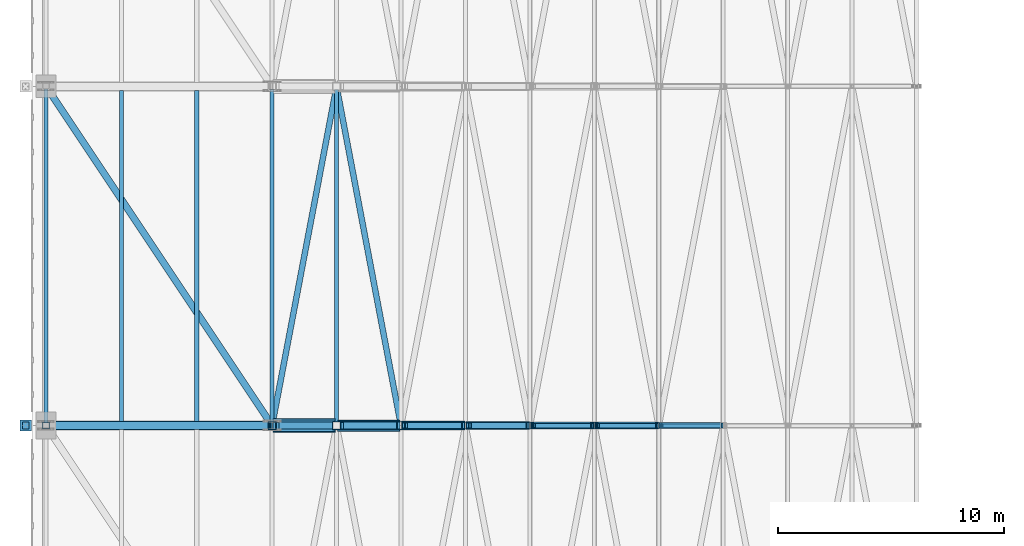
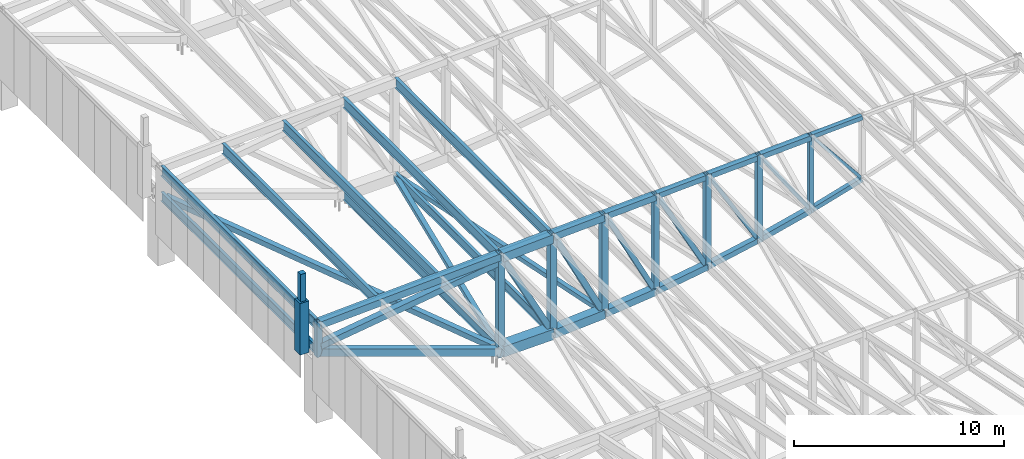
# One storey, part 31 of 278: 24 beams, 21 members.
"""IFC4 building model written with IfcOpenShell, lengths in metres."""

from ifc_helpers import new_model, si_unit, direction, frame, origin, origin_2d, place, context, subcontext, project, spatial, rectangle, hollow_rectangle, i_section, extrude, material, material_profile, profile_set, type_object, element, save


model = new_model("IFC4")

# Units and contexts
model_context = context("Model", 3, precision=1e-05, world=origin(), true_north=direction((0.0, 1.0)))
body_context = subcontext(model_context, "Body", "Model", "MODEL_VIEW")
ifc_project = project(units=[si_unit("LENGTHUNIT", "METRE"), si_unit("AREAUNIT", "SQUARE_METRE"), si_unit("VOLUMEUNIT", "CUBIC_METRE"), si_unit("PLANEANGLEUNIT", "RADIAN"), si_unit("MASSUNIT", "GRAM", prefix="KILO")], contexts=[model_context])

# Site, building, storey
site_placement = place(None, origin())
site = spatial("IfcSite", under=ifc_project, at=site_placement, CompositionType="ELEMENT")
building_placement = place(site_placement, origin())
building = spatial("IfcBuilding", under=site, at=building_placement, Name="Ogive Plaza Stadium", CompositionType="ELEMENT")
storey_placement = place(building_placement, frame((0.0, 0.0, 29.0)))
storey = spatial("IfcBuildingStorey", under=building, at=storey_placement, Name="Roof", CompositionType="ELEMENT", Elevation=29.0)

# Members
ifc_material_1 = material(Name="Concrete C45/55 precast", Category="concrete")
ifc_material_profile_1 = material_profile(ifc_material_1, rectangle(XDim=0.5, YDim=0.5, at=origin_2d()), Name="RC 500x500")
ifc_profile_set_1 = profile_set([ifc_material_profile_1], Name="Concrete C45/55 precast")
member_type_1 = type_object("IfcMemberType", Name="Precast pinnacle 500x500", PredefinedType="POST", material=ifc_profile_set_1)
member_1_placement = place(storey_placement, frame((-84.89990234375, -37.5, 4.0), z_axis=(0.0, 0.0, 1.0), x_axis=(0.0, -1.0, 0.0)))
element("IfcMember", 1, at=member_1_placement, inside=storey, type_object=member_type_1, Name="PINNACLE R22", PredefinedType="POST", context=body_context, shape_type="SweptSolid", body=[
    extrude(rectangle(XDim=0.5, YDim=0.5, at=origin_2d()), origin(), (0.0, 0.0, 1.0), 3.0),
])
ifc_material_2 = material(Name="Concrete C45/55 precast", Category="concrete")
ifc_material_profile_2 = material_profile(ifc_material_2, rectangle(XDim=0.300048828125, YDim=0.300048828125, at=origin_2d()), Name="RC 300x300")
ifc_profile_set_2 = profile_set([ifc_material_profile_2], Name="Concrete C45/55 precast")
member_type_2 = type_object("IfcMemberType", Name="Precast spire 300x300", PredefinedType="MEMBER", material=ifc_profile_set_2)
member_2_placement = place(storey_placement, frame((-84.89990234375, -37.5, 7.0), z_axis=(0.0, 0.0, 1.0), x_axis=(0.0, -1.0, 0.0)))
element("IfcMember", 2, at=member_2_placement, inside=storey, type_object=member_type_2, Name="SPIRE R22", PredefinedType="MEMBER", context=body_context, shape_type="SweptSolid", body=[
    extrude(rectangle(XDim=0.300048828125, YDim=0.300048828125, at=origin_2d()), origin(), (0.0, 0.0, 1.0), 1.60009765625),
])
ifc_material_3 = material(Name="Steel ASTM A500 Grade C", Category="steel")
ifc_material_profile_3 = material_profile(ifc_material_3, hollow_rectangle(XDim=0.25390625, YDim=0.25390625, WallThickness=0.0087890625, at=origin_2d()), Name="HSS10X10X3/8")
ifc_profile_set_3 = profile_set([ifc_material_profile_3], Name="Steel ASTM A500 Grade C")
member_type_3 = type_object("IfcMemberType", Name="Roof plan brace HSS10X10X3/8", PredefinedType="BRACE", material=ifc_profile_set_3)
member_3_placement = place(storey_placement, frame((-68.332763671875, -37.327880859375, 0.50927734375), z_axis=(-0.186657320186, 0.982381109131, -0.009295226886), x_axis=(-0.982423551356, -0.186665384421, 0.0)))
element("IfcMember", 3, at=member_3_placement, inside=storey, type_object=member_type_3, Name="ROOF BRACE B22 9", PredefinedType="BRACE", context=body_context, shape_type="SweptSolid", body=[
    extrude(hollow_rectangle(XDim=0.25390625, YDim=0.25390625, WallThickness=0.0087890625, at=origin_2d()), origin(), (0.0, 0.0, 1.0), 14.918701171875),
])
member_4_placement = place(storey_placement, frame((-71.1826171875, -22.672119140625, 0.368408203125), z_axis=(-0.186663720517, -0.982414794197, -0.004222272479), x_axis=(0.982423551356, -0.186665384421, 0.0)))
element("IfcMember", 4, at=member_4_placement, inside=storey, type_object=member_type_3, Name="ROOF BRACE B22 10", PredefinedType="BRACE", context=body_context, shape_type="SweptSolid", body=[
    extrude(hollow_rectangle(XDim=0.25390625, YDim=0.25390625, WallThickness=0.0087890625, at=origin_2d()), origin(), (0.0, 0.0, 1.0), 14.918212890625),
])
ifc_material_4 = material(Name="Steel ASTM A500 Grade C", Category="steel")
ifc_material_profile_4 = material_profile(ifc_material_4, hollow_rectangle(XDim=0.3046875, YDim=0.3046875, WallThickness=0.0087890625, at=origin_2d()), Name="HSS12X12X3/8")
ifc_profile_set_4 = profile_set([ifc_material_profile_4], Name="Steel ASTM A500 Grade C")
member_type_4 = type_object("IfcMemberType", Name="Roof plan brace HSS12X12X3/8", PredefinedType="BRACE", material=ifc_profile_set_4)
member_5_placement = place(storey_placement, frame((-74.158203125, -37.2626953125, 0.358642578125), z_axis=(-0.545096233751, 0.817651210116, 0.185247387419), x_axis=(-0.832052442118, -0.554696974542, 0.0)))
element("IfcMember", 5, at=member_5_placement, inside=storey, type_object=member_type_4, Name="ROOF BRACE B22 11", PredefinedType="BRACE", context=body_context, shape_type="SweptSolid", body=[
    extrude(hollow_rectangle(XDim=0.3046875, YDim=0.3046875, WallThickness=0.0087890625, at=origin_2d()), origin(), (0.0, 0.0, 1.0), 17.7958984375),
])
ifc_material_5 = material(Name="Steel ASTM A992 Grade 50", Category="steel")
ifc_material_profile_5 = material_profile(ifc_material_5, i_section(OverallWidth=0.1650390625, OverallDepth=0.524658203125, WebThickness=0.0087890625, FlangeThickness=0.011474609375, at=origin_2d()), Name="W21X44")
ifc_profile_set_5 = profile_set([ifc_material_profile_5], Name="Steel ASTM A992 Grade 50")
member_type_5 = type_object("IfcMemberType", Name="Roof plan strut W21X44", PredefinedType="STRUT", material=ifc_profile_set_5)
for number, where, z_axis, x_axis, name in (
    (6, (-71.14990234375, -37.352294921875, 0.369140625), (0.0, 1.0, 0.0), (-1.0, 0.0, 0.0), "ROOF STRUT B22 9"),
    (7, (-74.0, -37.352294921875, 0.3046875), (0.0, 1.0, 0.0), (-1.0, 0.0, 0.0), "ROOF STRUT B22 10"),
):
    element("IfcMember", number, at=place(storey_placement, frame(where, z_axis=z_axis, x_axis=x_axis)), inside=storey, type_object=member_type_5, Name=name, PredefinedType="STRUT", context=body_context, shape_type="SweptSolid", body=[
        extrude(i_section(OverallWidth=0.1650390625, OverallDepth=0.524658203125, WebThickness=0.0087890625, FlangeThickness=0.011474609375, at=origin_2d()), origin(), (0.0, 0.0, 1.0), 14.70458984375),
    ])
member_6_placement = place(storey_placement, frame((-84.0, -37.377685546875, 3.703125), z_axis=(0.0, 1.0, 0.0), x_axis=(-1.0, 0.0, 0.0)))
element("IfcMember", 8, at=member_6_placement, inside=storey, type_object=member_type_5, Name="ROOF STRUT B22 11", PredefinedType="STRUT", context=body_context, shape_type="SweptSolid", body=[
    extrude(i_section(OverallWidth=0.1650390625, OverallDepth=0.524658203125, WebThickness=0.0087890625, FlangeThickness=0.011474609375, at=origin_2d()), origin(), (0.0, 0.0, 1.0), 14.75537109375),
])
ifc_material_6 = material(Name="Steel ASTM A992 Grade 50", Category="steel")
ifc_material_profile_6 = material_profile(ifc_material_6, i_section(OverallWidth=0.177978515625, OverallDepth=0.5986328125, WebThickness=0.010009765625, FlangeThickness=0.012939453125, at=origin_2d()), Name="W24X55")
ifc_profile_set_6 = profile_set([ifc_material_profile_6], Name="Steel ASTM A992 Grade 50")
member_type_6 = type_object("IfcMemberType", Name="Roof purlin W24X55", PredefinedType="PURLIN", material=ifc_profile_set_6)
for number, where, z_axis, x_axis, name in (
    (9, (-71.14990234375, -37.352294921875, 5.84326171875), (0.0, 1.0, 0.0), (-1.0, 0.0, 0.0), "ROOF PURLIN B22 9"),
    (10, (-74.0, -37.352294921875, 5.70068359375), (0.0, 1.0, 0.0), (-1.0, 0.0, 0.0), "ROOF PURLIN B22 10"),
):
    element("IfcMember", number, at=place(storey_placement, frame(where, z_axis=z_axis, x_axis=x_axis)), inside=storey, type_object=member_type_6, Name=name, PredefinedType="PURLIN", context=body_context, shape_type="SweptSolid", body=[
        extrude(i_section(OverallWidth=0.177978515625, OverallDepth=0.5986328125, WebThickness=0.010009765625, FlangeThickness=0.012939453125, at=origin_2d()), origin(), (0.0, 0.0, 1.0), 14.70458984375),
    ])
for number, where, z_axis, x_axis, name in (
    (11, (-77.333251953125, -37.326904296875, 5.533935546875), (0.0, 1.0, 0.0), (-1.0, 0.0, 0.0), "ROOF PURLIN B22 11"),
    (12, (-80.666748046875, -37.326904296875, 5.367431640625), (0.0, 1.0, 0.0), (-1.0, 0.0, 0.0), "ROOF PURLIN B22 12"),
):
    element("IfcMember", number, at=place(storey_placement, frame(where, z_axis=z_axis, x_axis=x_axis)), inside=storey, type_object=member_type_6, Name=name, PredefinedType="PURLIN", context=body_context, shape_type="SweptSolid", body=[
        extrude(i_section(OverallWidth=0.177978515625, OverallDepth=0.5986328125, WebThickness=0.010009765625, FlangeThickness=0.012939453125, at=origin_2d()), origin(), (0.0, 0.0, 1.0), 14.65380859375),
    ])
member_7_placement = place(storey_placement, frame((-84.0, -37.377685546875, 5.20068359375), z_axis=(0.0, 1.0, 0.0), x_axis=(-1.0, 0.0, 0.0)))
element("IfcMember", 13, at=member_7_placement, inside=storey, type_object=member_type_6, Name="ROOF PURLIN B22 13", PredefinedType="PURLIN", context=body_context, shape_type="SweptSolid", body=[
    extrude(i_section(OverallWidth=0.177978515625, OverallDepth=0.5986328125, WebThickness=0.010009765625, FlangeThickness=0.012939453125, at=origin_2d()), origin(), (0.0, 0.0, 1.0), 14.75537109375),
])

# Beams
ifc_material_7 = material(Name="Steel ASTM A500 Grade C", Category="steel")
ifc_material_profile_7 = material_profile(ifc_material_7, hollow_rectangle(XDim=0.406494140625, YDim=0.406494140625, WallThickness=0.0146484375, at=origin_2d()), Name="HSS16X16X5/8")
ifc_profile_set_7 = profile_set([ifc_material_profile_7], Name="Steel ASTM A500 Grade C")
beam_type_1 = type_object("IfcBeamType", Name="Roof truss back-span bottom chord HSS16X16X5/8", PredefinedType="BEAM", material=ifc_profile_set_7)
beam_1_placement = place(storey_placement, frame((-74.050048828125, -37.5, 0.232666015625), z_axis=(-0.943851085966, 0.0, 0.330371196567), x_axis=(0.0, -1.0, 0.0)))
element("IfcBeam", 14, at=beam_1_placement, inside=storey, type_object=beam_type_1, Name="ROOF TRUSS T22 BOTTOM CHORD 11", PredefinedType="BEAM", context=body_context, shape_type="SweptSolid", body=[
    extrude(hollow_rectangle(XDim=0.406494140625, YDim=0.406494140625, WallThickness=0.0146484375, at=origin_2d()), origin(), (0.0, 0.0, 1.0), 10.470703125),
])
ifc_material_8 = material(Name="Steel ASTM A500 Grade C", Category="steel")
ifc_material_profile_8 = material_profile(ifc_material_8, hollow_rectangle(XDim=0.406494140625, YDim=0.406494140625, WallThickness=0.0146484375, at=origin_2d()), Name="HSS16X16X5/8")
ifc_profile_set_8 = profile_set([ifc_material_profile_8], Name="Steel ASTM A500 Grade C")
beam_type_2 = type_object("IfcBeamType", Name="Roof truss back-span top chord HSS16X16X5/8", PredefinedType="BEAM", material=ifc_profile_set_8)
beam_2_placement = place(storey_placement, frame((-74.050048828125, -37.5, 5.7939453125), z_axis=(-0.998752953021, 0.0, -0.049925332571), x_axis=(0.0, -1.0, 0.0)))
element("IfcBeam", 15, at=beam_2_placement, inside=storey, type_object=beam_type_2, Name="ROOF TRUSS T22 TOP CHORD 11", PredefinedType="BEAM", context=body_context, shape_type="SweptSolid", body=[
    extrude(hollow_rectangle(XDim=0.406494140625, YDim=0.406494140625, WallThickness=0.0146484375, at=origin_2d()), origin(), (0.0, 0.0, 1.0), 9.912353515625),
])

# Member
ifc_material_9 = material(Name="Steel ASTM A500 Grade C", Category="steel")
ifc_material_profile_9 = material_profile(ifc_material_9, hollow_rectangle(XDim=0.355712890625, YDim=0.355712890625, WallThickness=0.0146484375, at=origin_2d()), Name="HSS14X14X5/8")
ifc_profile_set_9 = profile_set([ifc_material_profile_9], Name="Steel ASTM A500 Grade C")
member_type_7 = type_object("IfcMemberType", Name="Roof truss back-stay HSS14X14X5/8", PredefinedType="BRACE", material=ifc_profile_set_9)
member_8_placement = place(storey_placement, frame((-74.093017578125, -37.5, 5.45654296875), z_axis=(-0.989844100519, 0.0, -0.142157154826), x_axis=(0.0, -1.0, 0.0)))
element("IfcMember", 16, at=member_8_placement, inside=storey, type_object=member_type_7, Name="BACK-STAY T22", PredefinedType="BRACE", context=body_context, shape_type="SweptSolid", body=[
    extrude(hollow_rectangle(XDim=0.355712890625, YDim=0.355712890625, WallThickness=0.0146484375, at=origin_2d()), origin(), (0.0, 0.0, 1.0), 9.9404296875),
])

# Beams
ifc_material_10 = material(Name="Steel ASTM A500 Grade C", Category="steel")
ifc_material_profile_10 = material_profile(ifc_material_10, hollow_rectangle(XDim=0.25390625, YDim=0.25390625, WallThickness=0.01171875, at=origin_2d()), Name="HSS10X10X1/2")
ifc_profile_set_10 = profile_set([ifc_material_profile_10], Name="Steel ASTM A500 Grade C")
beam_type_3 = type_object("IfcBeamType", Name="Roof truss bottom chord HSS10X10X1/2", PredefinedType="BEAM", material=ifc_profile_set_10)
beam_3_placement = place(storey_placement, frame((-54.10009765625, -37.5, 3.265869140625), z_axis=(-0.959640437259, 0.0, -0.281229854705), x_axis=(0.0, -1.0, 0.0)))
element("IfcBeam", 17, at=beam_3_placement, inside=storey, type_object=beam_type_3, Name="ROOF TRUSS T22 BOTTOM CHORD 4", PredefinedType="BEAM", context=body_context, shape_type="SweptSolid", body=[
    extrude(hollow_rectangle(XDim=0.25390625, YDim=0.25390625, WallThickness=0.01171875, at=origin_2d()), origin(), (0.0, 0.0, 1.0), 2.86572265625),
])
ifc_material_11 = material(Name="Steel ASTM A500 Grade C", Category="steel")
ifc_material_profile_11 = material_profile(ifc_material_11, hollow_rectangle(XDim=0.3046875, YDim=0.3046875, WallThickness=0.0146484375, at=origin_2d()), Name="HSS12X12X5/8")
ifc_profile_set_11 = profile_set([ifc_material_profile_11], Name="Steel ASTM A500 Grade C")
beam_type_4 = type_object("IfcBeamType", Name="Roof truss bottom chord HSS12X12X5/8", PredefinedType="BEAM", material=ifc_profile_set_11)
beam_4_placement = place(storey_placement, frame((-56.949951171875, -37.5, 2.45751953125), z_axis=(-0.970607032995, 0.0, -0.240669872439), x_axis=(0.0, -1.0, 0.0)))
element("IfcBeam", 18, at=beam_4_placement, inside=storey, type_object=beam_type_4, Name="ROOF TRUSS T22 BOTTOM CHORD 5", PredefinedType="BEAM", context=body_context, shape_type="SweptSolid", body=[
    extrude(hollow_rectangle(XDim=0.3046875, YDim=0.3046875, WallThickness=0.0146484375, at=origin_2d()), origin(), (0.0, 0.0, 1.0), 2.833251953125),
])
beam_5_placement = place(storey_placement, frame((-59.800048828125, -37.5, 1.751708984375), z_axis=(-0.980021250437, 0.0, -0.19889280704), x_axis=(0.0, -1.0, 0.0)))
element("IfcBeam", 19, at=beam_5_placement, inside=storey, type_object=beam_type_4, Name="ROOF TRUSS T22 BOTTOM CHORD 6", PredefinedType="BEAM", context=body_context, shape_type="SweptSolid", body=[
    extrude(hollow_rectangle(XDim=0.3046875, YDim=0.3046875, WallThickness=0.0146484375, at=origin_2d()), origin(), (0.0, 0.0, 1.0), 2.80615234375),
])
ifc_material_12 = material(Name="Steel ASTM A500 Grade C", Category="steel")
ifc_material_profile_12 = material_profile(ifc_material_12, hollow_rectangle(XDim=0.355712890625, YDim=0.355712890625, WallThickness=0.0146484375, at=origin_2d()), Name="HSS14X14X5/8")
ifc_profile_set_12 = profile_set([ifc_material_profile_12], Name="Steel ASTM A500 Grade C")
beam_type_5 = type_object("IfcBeamType", Name="Roof truss bottom chord HSS14X14X5/8", PredefinedType="BEAM", material=ifc_profile_set_12)
beam_6_placement = place(storey_placement, frame((-62.64990234375, -37.5, 1.2001953125), z_axis=(-0.987770074518, 0.0, -0.155917541947), x_axis=(0.0, -1.0, 0.0)))
element("IfcBeam", 20, at=beam_6_placement, inside=storey, type_object=beam_type_5, Name="ROOF TRUSS T22 BOTTOM CHORD 7", PredefinedType="BEAM", context=body_context, shape_type="SweptSolid", body=[
    extrude(hollow_rectangle(XDim=0.355712890625, YDim=0.355712890625, WallThickness=0.0146484375, at=origin_2d()), origin(), (0.0, 0.0, 1.0), 2.783935546875),
])
ifc_material_13 = material(Name="Steel ASTM A500 Grade C", Category="steel")
ifc_material_profile_13 = material_profile(ifc_material_13, hollow_rectangle(XDim=0.406494140625, YDim=0.406494140625, WallThickness=0.0146484375, at=origin_2d()), Name="HSS16X16X5/8")
ifc_profile_set_13 = profile_set([ifc_material_profile_13], Name="Steel ASTM A500 Grade C")
beam_type_6 = type_object("IfcBeamType", Name="Roof truss bottom chord HSS16X16X5/8", PredefinedType="BEAM", material=ifc_profile_set_13)
beam_7_placement = place(storey_placement, frame((-65.5, -37.5, 0.777099609375), z_axis=(-0.993703844406, 0.0, -0.112038696946), x_axis=(0.0, -1.0, 0.0)))
element("IfcBeam", 21, at=beam_7_placement, inside=storey, type_object=beam_type_6, Name="ROOF TRUSS T22 BOTTOM CHORD 8", PredefinedType="BEAM", context=body_context, shape_type="SweptSolid", body=[
    extrude(hollow_rectangle(XDim=0.406494140625, YDim=0.406494140625, WallThickness=0.0146484375, at=origin_2d()), origin(), (0.0, 0.0, 1.0), 2.767333984375),
])
ifc_material_14 = material(Name="Steel ASTM A500 Grade C", Category="steel")
ifc_material_profile_14 = material_profile(ifc_material_14, hollow_rectangle(XDim=0.508056640625, YDim=0.508056640625, WallThickness=0.0146484375, at=origin_2d()), Name="HSS20X20X5/8")
ifc_profile_set_14 = profile_set([ifc_material_profile_14], Name="Steel ASTM A500 Grade C")
beam_type_7 = type_object("IfcBeamType", Name="Roof truss bottom chord HSS20X20X5/8", PredefinedType="BEAM", material=ifc_profile_set_14)
beam_8_placement = place(storey_placement, frame((-68.35009765625, -37.5, 0.50830078125), z_axis=(-0.997719620387, 0.0, -0.06749488199), x_axis=(0.0, -1.0, 0.0)))
element("IfcBeam", 22, at=beam_8_placement, inside=storey, type_object=beam_type_7, Name="ROOF TRUSS T22 BOTTOM CHORD 9", PredefinedType="BEAM", context=body_context, shape_type="SweptSolid", body=[
    extrude(hollow_rectangle(XDim=0.508056640625, YDim=0.508056640625, WallThickness=0.0146484375, at=origin_2d()), origin(), (0.0, 0.0, 1.0), 2.75634765625),
])
ifc_material_15 = material(Name="Steel ASTM A500 Grade C", Category="steel")
ifc_material_profile_15 = material_profile(ifc_material_15, hollow_rectangle(XDim=0.609619140625, YDim=0.609619140625, WallThickness=0.0146484375, at=origin_2d()), Name="HSS24X24X5/8")
ifc_profile_set_15 = profile_set([ifc_material_profile_15], Name="Steel ASTM A500 Grade C")
beam_type_8 = type_object("IfcBeamType", Name="Roof truss bottom chord HSS24X24X5/8", PredefinedType="BEAM", material=ifc_profile_set_15)
beam_9_placement = place(storey_placement, frame((-71.199951171875, -37.5, 0.367919921875), z_axis=(-0.999745852076, 0.0, -0.022543984946), x_axis=(0.0, -1.0, 0.0)))
element("IfcBeam", 23, at=beam_9_placement, inside=storey, type_object=beam_type_8, Name="ROOF TRUSS T22 BOTTOM CHORD 10", PredefinedType="BEAM", context=body_context, shape_type="SweptSolid", body=[
    extrude(hollow_rectangle(XDim=0.609619140625, YDim=0.609619140625, WallThickness=0.0146484375, at=origin_2d()), origin(), (0.0, 0.0, 1.0), 2.750732421875),
])

# Members
ifc_material_16 = material(Name="Steel ASTM A500 Grade C", Category="steel")
ifc_material_profile_16 = material_profile(ifc_material_16, hollow_rectangle(XDim=0.25390625, YDim=0.25390625, WallThickness=0.0087890625, at=origin_2d()), Name="HSS10X10X3/8")
ifc_profile_set_16 = profile_set([ifc_material_profile_16], Name="Steel ASTM A500 Grade C")
member_type_8 = type_object("IfcMemberType", Name="Roof truss diagonal HSS10X10X3/8", PredefinedType="BRACE", material=ifc_profile_set_16)
member_9_placement = place(storey_placement, frame((-62.75244140625, -37.5, 1.383544921875), z_axis=(-0.473127942579, 0.0, 0.880993728667), x_axis=(0.0, -1.0, 0.0)))
element("IfcMember", 24, at=member_9_placement, inside=storey, type_object=member_type_8, Name="ROOF TRUSS T22 DIAGONAL 7", PredefinedType="BRACE", context=body_context, shape_type="SweptSolid", body=[
    extrude(hollow_rectangle(XDim=0.25390625, YDim=0.25390625, WallThickness=0.0087890625, at=origin_2d()), origin(), (0.0, 0.0, 1.0), 5.37939453125),
])
member_10_placement = place(storey_placement, frame((-65.602294921875, -37.5, 0.984619140625), z_axis=(-0.454062843231, 0.0, 0.890969659639), x_axis=(0.0, -1.0, 0.0)))
element("IfcMember", 25, at=member_10_placement, inside=storey, type_object=member_type_8, Name="ROOF TRUSS T22 DIAGONAL 8", PredefinedType="BRACE", context=body_context, shape_type="SweptSolid", body=[
    extrude(hollow_rectangle(XDim=0.25390625, YDim=0.25390625, WallThickness=0.0087890625, at=origin_2d()), origin(), (0.0, 0.0, 1.0), 5.550048828125),
])
ifc_material_17 = material(Name="Steel ASTM A500 Grade C", Category="steel")
ifc_material_profile_17 = material_profile(ifc_material_17, hollow_rectangle(XDim=0.3046875, YDim=0.3046875, WallThickness=0.0087890625, at=origin_2d()), Name="HSS12X12X3/8")
ifc_profile_set_17 = profile_set([ifc_material_profile_17], Name="Steel ASTM A500 Grade C")
member_type_9 = type_object("IfcMemberType", Name="Roof truss diagonal HSS12X12X3/8", PredefinedType="BRACE", material=ifc_profile_set_17)
member_11_placement = place(storey_placement, frame((-68.477783203125, -37.5, 0.764892578125), z_axis=(-0.448477330766, 0.0, 0.893794206621), x_axis=(0.0, -1.0, 0.0)))
element("IfcMember", 26, at=member_11_placement, inside=storey, type_object=member_type_9, Name="ROOF TRUSS T22 DIAGONAL 9", PredefinedType="BRACE", context=body_context, shape_type="SweptSolid", body=[
    extrude(hollow_rectangle(XDim=0.3046875, YDim=0.3046875, WallThickness=0.0087890625, at=origin_2d()), origin(), (0.0, 0.0, 1.0), 5.56201171875),
])
member_12_placement = place(storey_placement, frame((-71.327880859375, -37.5, 0.673828125), z_axis=(-0.459750963822, 0.0, 0.888047887934), x_axis=(0.0, -1.0, 0.0)))
element("IfcMember", 27, at=member_12_placement, inside=storey, type_object=member_type_9, Name="ROOF TRUSS T22 DIAGONAL 10", PredefinedType="BRACE", context=body_context, shape_type="SweptSolid", body=[
    extrude(hollow_rectangle(XDim=0.3046875, YDim=0.3046875, WallThickness=0.0087890625, at=origin_2d()), origin(), (0.0, 0.0, 1.0), 5.425537109375),
])
ifc_material_18 = material(Name="Steel ASTM A500 Grade C", Category="steel")
ifc_material_profile_18 = material_profile(ifc_material_18, hollow_rectangle(XDim=0.15234375, YDim=0.15234375, WallThickness=0.0087890625, at=origin_2d()), Name="HSS6X6X3/8")
ifc_profile_set_18 = profile_set([ifc_material_profile_18], Name="Steel ASTM A500 Grade C")
member_type_10 = type_object("IfcMemberType", Name="Roof truss diagonal HSS6X6X3/8", PredefinedType="BRACE", material=ifc_profile_set_18)
member_13_placement = place(storey_placement, frame((-54.177001953125, -37.5, 3.40234375), z_axis=(-0.630150764463, 0.0, 0.77647280316), x_axis=(0.0, -1.0, 0.0)))
element("IfcMember", 28, at=member_13_placement, inside=storey, type_object=member_type_10, Name="ROOF TRUSS T22 DIAGONAL 4", PredefinedType="BRACE", context=body_context, shape_type="SweptSolid", body=[
    extrude(hollow_rectangle(XDim=0.15234375, YDim=0.15234375, WallThickness=0.0087890625, at=origin_2d()), origin(), (0.0, 0.0, 1.0), 4.11962890625),
])
ifc_material_19 = material(Name="Steel ASTM A500 Grade C", Category="steel")
ifc_material_profile_19 = material_profile(ifc_material_19, hollow_rectangle(XDim=0.203125, YDim=0.203125, WallThickness=0.0087890625, at=origin_2d()), Name="HSS8X8X3/8")
ifc_profile_set_19 = profile_set([ifc_material_profile_19], Name="Steel ASTM A500 Grade C")
member_type_11 = type_object("IfcMemberType", Name="Roof truss diagonal HSS8X8X3/8", PredefinedType="BRACE", material=ifc_profile_set_19)
member_14_placement = place(storey_placement, frame((-57.027099609375, -37.5, 2.617919921875), z_axis=(-0.561338440243, 0.0, 0.827586343233), x_axis=(0.0, -1.0, 0.0)))
element("IfcMember", 29, at=member_14_placement, inside=storey, type_object=member_type_11, Name="ROOF TRUSS T22 DIAGONAL 5", PredefinedType="BRACE", context=body_context, shape_type="SweptSolid", body=[
    extrude(hollow_rectangle(XDim=0.203125, YDim=0.203125, WallThickness=0.0087890625, at=origin_2d()), origin(), (0.0, 0.0, 1.0), 4.579345703125),
])
member_15_placement = place(storey_placement, frame((-59.90234375, -37.5, 1.9111328125), z_axis=(-0.504659398762, 0.0, 0.863318534054), x_axis=(0.0, -1.0, 0.0)))
element("IfcMember", 30, at=member_15_placement, inside=storey, type_object=member_type_11, Name="ROOF TRUSS T22 DIAGONAL 6", PredefinedType="BRACE", context=body_context, shape_type="SweptSolid", body=[
    extrude(hollow_rectangle(XDim=0.203125, YDim=0.203125, WallThickness=0.0087890625, at=origin_2d()), origin(), (0.0, 0.0, 1.0), 5.043212890625),
])

# Beams
ifc_material_20 = material(Name="Steel ASTM A500 Grade C", Category="steel")
ifc_material_profile_20 = material_profile(ifc_material_20, hollow_rectangle(XDim=0.25390625, YDim=0.25390625, WallThickness=0.01171875, at=origin_2d()), Name="HSS10X10X1/2")
ifc_profile_set_20 = profile_set([ifc_material_profile_20], Name="Steel ASTM A500 Grade C")
beam_type_9 = type_object("IfcBeamType", Name="Roof truss post HSS10X10X1/2", PredefinedType="BEAM", material=ifc_profile_set_20)
beam_10_placement = place(storey_placement, frame((-56.89990234375, -37.5, 2.31298828125), z_axis=(0.0, 0.0, 1.0), x_axis=(0.0, -1.0, 0.0)))
element("IfcBeam", 31, at=beam_10_placement, inside=storey, type_object=beam_type_9, Name="ROOF TRUSS T22 POST 5", PredefinedType="BEAM", context=body_context, shape_type="SweptSolid", body=[
    extrude(hollow_rectangle(XDim=0.25390625, YDim=0.25390625, WallThickness=0.01171875, at=origin_2d()), origin(), (0.0, 0.0, 1.0), 4.5419921875),
])
ifc_material_21 = material(Name="Steel ASTM A500 Grade C", Category="steel")
ifc_material_profile_21 = material_profile(ifc_material_21, hollow_rectangle(XDim=0.3046875, YDim=0.3046875, WallThickness=0.01171875, at=origin_2d()), Name="HSS12X12X1/2")
ifc_profile_set_21 = profile_set([ifc_material_profile_21], Name="Steel ASTM A500 Grade C")
beam_type_10 = type_object("IfcBeamType", Name="Roof truss post HSS12X12X1/2", PredefinedType="BEAM", material=ifc_profile_set_21)
beam_11_placement = place(storey_placement, frame((-59.75, -37.5, 1.606201171875), z_axis=(0.0, 0.0, 1.0), x_axis=(0.0, -1.0, 0.0)))
element("IfcBeam", 32, at=beam_11_placement, inside=storey, type_object=beam_type_10, Name="ROOF TRUSS T22 POST 6", PredefinedType="BEAM", context=body_context, shape_type="SweptSolid", body=[
    extrude(hollow_rectangle(XDim=0.3046875, YDim=0.3046875, WallThickness=0.01171875, at=origin_2d()), origin(), (0.0, 0.0, 1.0), 5.106201171875),
])
beam_12_placement = place(storey_placement, frame((-84.0, -37.5, 3.43994140625), z_axis=(0.0, 0.0, 1.0), x_axis=(0.0, -1.0, 0.0)))
element("IfcBeam", 33, at=beam_12_placement, inside=storey, type_object=beam_type_10, Name="ROOF TRUSS T22 POST 12", PredefinedType="BEAM", context=body_context, shape_type="SweptSolid", body=[
    extrude(hollow_rectangle(XDim=0.3046875, YDim=0.3046875, WallThickness=0.01171875, at=origin_2d()), origin(), (0.0, 0.0, 1.0), 2.06005859375),
])
ifc_material_22 = material(Name="Steel ASTM A500 Grade C", Category="steel")
ifc_material_profile_22 = material_profile(ifc_material_22, hollow_rectangle(XDim=0.3046875, YDim=0.3046875, WallThickness=0.0146484375, at=origin_2d()), Name="HSS12X12X5/8")
ifc_profile_set_22 = profile_set([ifc_material_profile_22], Name="Steel ASTM A500 Grade C")
beam_type_11 = type_object("IfcBeamType", Name="Roof truss post HSS12X12X5/8", PredefinedType="BEAM", material=ifc_profile_set_22)
beam_13_placement = place(storey_placement, frame((-62.60009765625, -37.5, 1.028076171875), z_axis=(0.0, 0.0, 1.0), x_axis=(0.0, -1.0, 0.0)))
element("IfcBeam", 34, at=beam_13_placement, inside=storey, type_object=beam_type_11, Name="ROOF TRUSS T22 POST 7", PredefinedType="BEAM", context=body_context, shape_type="SweptSolid", body=[
    extrude(hollow_rectangle(XDim=0.3046875, YDim=0.3046875, WallThickness=0.0146484375, at=origin_2d()), origin(), (0.0, 0.0, 1.0), 5.5419921875),
])
beam_14_placement = place(storey_placement, frame((-65.449951171875, -37.5, 0.578369140625), z_axis=(0.0, 0.0, 1.0), x_axis=(0.0, -1.0, 0.0)))
element("IfcBeam", 35, at=beam_14_placement, inside=storey, type_object=beam_type_11, Name="ROOF TRUSS T22 POST 8", PredefinedType="BEAM", context=body_context, shape_type="SweptSolid", body=[
    extrude(hollow_rectangle(XDim=0.3046875, YDim=0.3046875, WallThickness=0.0146484375, at=origin_2d()), origin(), (0.0, 0.0, 1.0), 5.84912109375),
])
ifc_material_23 = material(Name="Steel ASTM A500 Grade C", Category="steel")
ifc_material_profile_23 = material_profile(ifc_material_23, hollow_rectangle(XDim=0.355712890625, YDim=0.355712890625, WallThickness=0.0146484375, at=origin_2d()), Name="HSS14X14X5/8")
ifc_profile_set_23 = profile_set([ifc_material_profile_23], Name="Steel ASTM A500 Grade C")
beam_type_12 = type_object("IfcBeamType", Name="Roof truss post HSS14X14X5/8", PredefinedType="BEAM", material=ifc_profile_set_23)
beam_15_placement = place(storey_placement, frame((-68.300048828125, -37.5, 0.257080078125), z_axis=(0.0, 0.0, 1.0), x_axis=(0.0, -1.0, 0.0)))
element("IfcBeam", 36, at=beam_15_placement, inside=storey, type_object=beam_type_12, Name="ROOF TRUSS T22 POST 9", PredefinedType="BEAM", context=body_context, shape_type="SweptSolid", body=[
    extrude(hollow_rectangle(XDim=0.355712890625, YDim=0.355712890625, WallThickness=0.0146484375, at=origin_2d()), origin(), (0.0, 0.0, 1.0), 6.02783203125),
])
beam_16_placement = place(storey_placement, frame((-71.14990234375, -37.5, 0.064208984375), z_axis=(0.0, 0.0, 1.0), x_axis=(0.0, -1.0, 0.0)))
element("IfcBeam", 37, at=beam_16_placement, inside=storey, type_object=beam_type_12, Name="ROOF TRUSS T22 POST 10", PredefinedType="BEAM", context=body_context, shape_type="SweptSolid", body=[
    extrude(hollow_rectangle(XDim=0.355712890625, YDim=0.355712890625, WallThickness=0.0146484375, at=origin_2d()), origin(), (0.0, 0.0, 1.0), 6.078369140625),
])
beam_17_placement = place(storey_placement, frame((-74.0, -37.5, -0.06005859375), z_axis=(0.0, 0.0, 1.0), x_axis=(0.0, -1.0, 0.0)))
element("IfcBeam", 38, at=beam_17_placement, inside=storey, type_object=beam_type_12, Name="ROOF TRUSS T22 POST 11", PredefinedType="BEAM", context=body_context, shape_type="SweptSolid", body=[
    extrude(hollow_rectangle(XDim=0.355712890625, YDim=0.355712890625, WallThickness=0.0146484375, at=origin_2d()), origin(), (0.0, 0.0, 1.0), 6.06005859375),
])
ifc_material_24 = material(Name="Steel ASTM A500 Grade C", Category="steel")
ifc_material_profile_24 = material_profile(ifc_material_24, hollow_rectangle(XDim=0.25390625, YDim=0.25390625, WallThickness=0.0087890625, at=origin_2d()), Name="HSS10X10X3/8")
ifc_profile_set_24 = profile_set([ifc_material_profile_24], Name="Steel ASTM A500 Grade C")
beam_type_13 = type_object("IfcBeamType", Name="Roof truss top chord HSS10X10X3/8", PredefinedType="BEAM", material=ifc_profile_set_24)
beam_18_placement = place(storey_placement, frame((-54.10009765625, -37.5, 6.867919921875), z_axis=(-0.998748798523, 0.0, -0.05000837379), x_axis=(0.0, -1.0, 0.0)))
element("IfcBeam", 39, at=beam_18_placement, inside=storey, type_object=beam_type_13, Name="ROOF TRUSS T22 TOP CHORD 4", PredefinedType="BEAM", context=body_context, shape_type="SweptSolid", body=[
    extrude(hollow_rectangle(XDim=0.25390625, YDim=0.25390625, WallThickness=0.0087890625, at=origin_2d()), origin(), (0.0, 0.0, 1.0), 2.75341796875),
])
ifc_material_25 = material(Name="Steel ASTM A500 Grade C", Category="steel")
ifc_material_profile_25 = material_profile(ifc_material_25, hollow_rectangle(XDim=0.3046875, YDim=0.3046875, WallThickness=0.01171875, at=origin_2d()), Name="HSS12X12X1/2")
ifc_profile_set_25 = profile_set([ifc_material_profile_25], Name="Steel ASTM A500 Grade C")
beam_type_14 = type_object("IfcBeamType", Name="Roof truss top chord HSS12X12X1/2", PredefinedType="BEAM", material=ifc_profile_set_25)
beam_19_placement = place(storey_placement, frame((-62.64990234375, -37.5, 6.414794921875), z_axis=(-0.998753223187, 0.0, -0.049919927615), x_axis=(0.0, -1.0, 0.0)))
element("IfcBeam", 40, at=beam_19_placement, inside=storey, type_object=beam_type_14, Name="ROOF TRUSS T22 TOP CHORD 7", PredefinedType="BEAM", context=body_context, shape_type="SweptSolid", body=[
    extrude(hollow_rectangle(XDim=0.3046875, YDim=0.3046875, WallThickness=0.01171875, at=origin_2d()), origin(), (0.0, 0.0, 1.0), 2.75341796875),
])
ifc_material_26 = material(Name="Steel ASTM A500 Grade C", Category="steel")
ifc_material_profile_26 = material_profile(ifc_material_26, hollow_rectangle(XDim=0.3046875, YDim=0.3046875, WallThickness=0.0087890625, at=origin_2d()), Name="HSS12X12X3/8")
ifc_profile_set_26 = profile_set([ifc_material_profile_26], Name="Steel ASTM A500 Grade C")
beam_type_15 = type_object("IfcBeamType", Name="Roof truss top chord HSS12X12X3/8", PredefinedType="BEAM", material=ifc_profile_set_26)
for number, where, z_axis, x_axis, name in (
    (41, (-56.949951171875, -37.5, 6.699951171875), (-0.998753223187, 0.0, -0.049919927615), (0.0, -1.0, 0.0), "ROOF TRUSS T22 TOP CHORD 5"),
    (42, (-59.800048828125, -37.5, 6.557373046875), (-0.998753223187, 0.0, -0.049919927615), (0.0, -1.0, 0.0), "ROOF TRUSS T22 TOP CHORD 6"),
):
    element("IfcBeam", number, at=place(storey_placement, frame(where, z_axis=z_axis, x_axis=x_axis)), inside=storey, type_object=beam_type_15, Name=name, PredefinedType="BEAM", context=body_context, shape_type="SweptSolid", body=[
        extrude(hollow_rectangle(XDim=0.3046875, YDim=0.3046875, WallThickness=0.0087890625, at=origin_2d()), origin(), (0.0, 0.0, 1.0), 2.75341796875),
    ])
ifc_material_27 = material(Name="Steel ASTM A500 Grade C", Category="steel")
ifc_material_profile_27 = material_profile(ifc_material_27, hollow_rectangle(XDim=0.355712890625, YDim=0.355712890625, WallThickness=0.01171875, at=origin_2d()), Name="HSS14X14X1/2")
ifc_profile_set_27 = profile_set([ifc_material_profile_27], Name="Steel ASTM A500 Grade C")
beam_type_16 = type_object("IfcBeamType", Name="Roof truss top chord HSS14X14X1/2", PredefinedType="BEAM", material=ifc_profile_set_27)
beam_20_placement = place(storey_placement, frame((-65.5, -37.5, 6.2470703125), z_axis=(-0.998748798523, 0.0, -0.05000837379), x_axis=(0.0, -1.0, 0.0)))
element("IfcBeam", 43, at=beam_20_placement, inside=storey, type_object=beam_type_16, Name="ROOF TRUSS T22 TOP CHORD 8", PredefinedType="BEAM", context=body_context, shape_type="SweptSolid", body=[
    extrude(hollow_rectangle(XDim=0.355712890625, YDim=0.355712890625, WallThickness=0.01171875, at=origin_2d()), origin(), (0.0, 0.0, 1.0), 2.75341796875),
])
ifc_material_28 = material(Name="Steel ASTM A500 Grade C", Category="steel")
ifc_material_profile_28 = material_profile(ifc_material_28, hollow_rectangle(XDim=0.406494140625, YDim=0.406494140625, WallThickness=0.01171875, at=origin_2d()), Name="HSS16X16X1/2")
ifc_profile_set_28 = profile_set([ifc_material_profile_28], Name="Steel ASTM A500 Grade C")
beam_type_17 = type_object("IfcBeamType", Name="Roof truss top chord HSS16X16X1/2", PredefinedType="BEAM", material=ifc_profile_set_28)
beam_21_placement = place(storey_placement, frame((-68.35009765625, -37.5, 6.0791015625), z_axis=(-0.998753223187, 0.0, -0.049919927615), x_axis=(0.0, -1.0, 0.0)))
element("IfcBeam", 44, at=beam_21_placement, inside=storey, type_object=beam_type_17, Name="ROOF TRUSS T22 TOP CHORD 9", PredefinedType="BEAM", context=body_context, shape_type="SweptSolid", body=[
    extrude(hollow_rectangle(XDim=0.406494140625, YDim=0.406494140625, WallThickness=0.01171875, at=origin_2d()), origin(), (0.0, 0.0, 1.0), 2.75341796875),
])
ifc_material_29 = material(Name="Steel ASTM A500 Grade C", Category="steel")
ifc_material_profile_29 = material_profile(ifc_material_29, hollow_rectangle(XDim=0.508056640625, YDim=0.508056640625, WallThickness=0.0146484375, at=origin_2d()), Name="HSS20X20X5/8")
ifc_profile_set_29 = profile_set([ifc_material_profile_29], Name="Steel ASTM A500 Grade C")
beam_type_18 = type_object("IfcBeamType", Name="Roof truss top chord HSS20X20X5/8", PredefinedType="BEAM", material=ifc_profile_set_29)
beam_22_placement = place(storey_placement, frame((-71.199951171875, -37.5, 5.8857421875), z_axis=(-0.998753223187, 0.0, -0.049919927615), x_axis=(0.0, -1.0, 0.0)))
element("IfcBeam", 45, at=beam_22_placement, inside=storey, type_object=beam_type_18, Name="ROOF TRUSS T22 TOP CHORD 10", PredefinedType="BEAM", context=body_context, shape_type="SweptSolid", body=[
    extrude(hollow_rectangle(XDim=0.508056640625, YDim=0.508056640625, WallThickness=0.0146484375, at=origin_2d()), origin(), (0.0, 0.0, 1.0), 2.75341796875),
])

save(model, "model.ifc")
